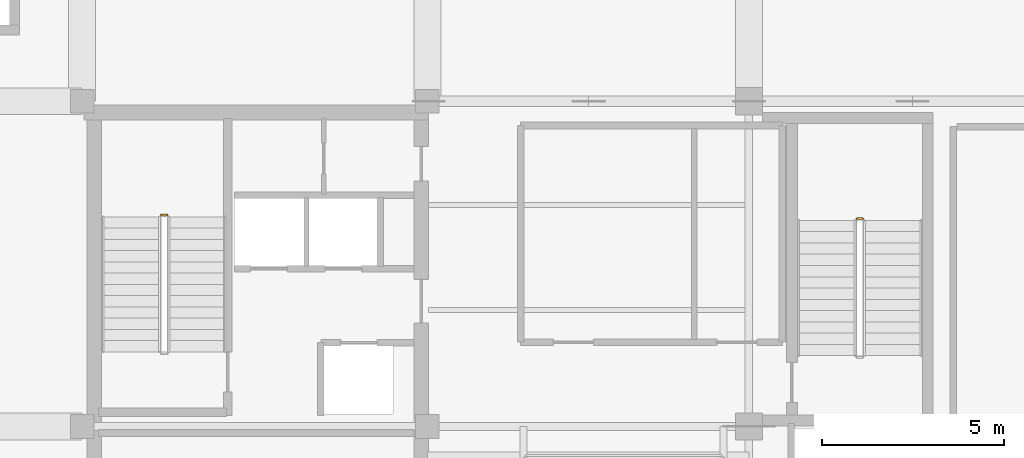
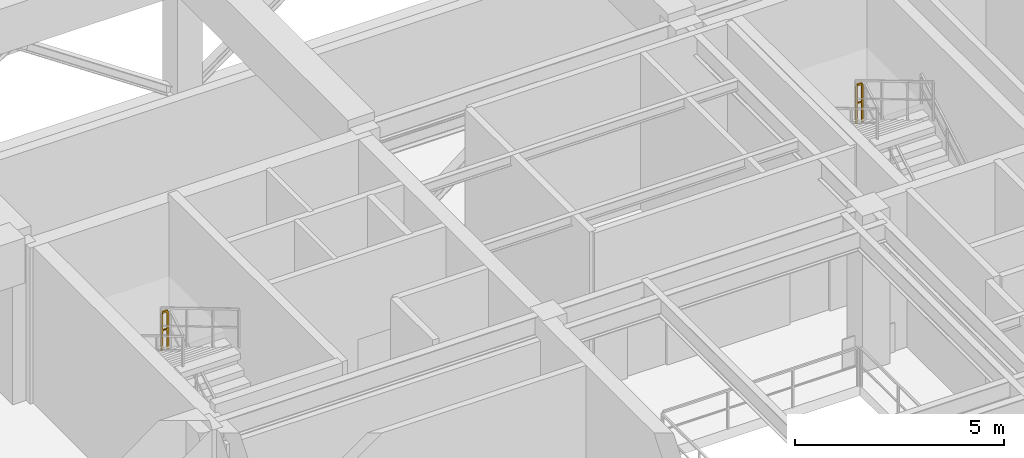
# One storey, part 10 of 10: 2 railings.
"""IFC4 building model written with IfcOpenShell, lengths in metres."""

from ifc_helpers import new_model, si_unit, direction, frame, origin, origin_2d, place, context, subcontext, project, spatial, rectangle, extrude, material, type_object, element, save


model = new_model("IFC4")

# Units and contexts
model_context = context("Model", 3, precision=1e-05, world=origin(), true_north=direction((0.0, 1.0)))
body_context = subcontext(model_context, "Body", "Model", "MODEL_VIEW")
ifc_project = project(units=[si_unit("LENGTHUNIT", "METRE"), si_unit("AREAUNIT", "SQUARE_METRE"), si_unit("VOLUMEUNIT", "CUBIC_METRE"), si_unit("PLANEANGLEUNIT", "RADIAN"), si_unit("MASSUNIT", "GRAM", prefix="KILO")], contexts=[model_context])

# Site, building, storey
site_placement = place(None, origin())
site = spatial("IfcSite", under=ifc_project, at=site_placement, CompositionType="ELEMENT")
building_placement = place(site_placement, origin())
building = spatial("IfcBuilding", under=site, at=building_placement, Name="Kundavana Baori Tower", CompositionType="ELEMENT")
storey_placement = place(building_placement, frame((0.0, 0.0, 307.699951171875)))
storey = spatial("IfcBuildingStorey", under=building, at=storey_placement, Name="L76", CompositionType="ELEMENT", Elevation=307.699951171875)

# Railings
ifc_material = material(Name="Architectural Patinated Bronze Metalwork")
railing_type = type_object("IfcRailingType", Name="RL-GRD-1150", PredefinedType="GUARDRAIL", material=ifc_material)
railing_1_placement = place(storey_placement, frame((17.7900390625, 38.820068359375, 2.400146484375)))
element("IfcRailing", 1, at=railing_1_placement, inside=storey, type_object=railing_type, Name="L76 ST2 stair guard 2", PredefinedType="GUARDRAIL", context=body_context, shape_type="SweptSolid", body=[
    extrude(rectangle(XDim=0.048095703125, YDim=0.048095703125, at=origin_2d()), frame((0.0, 0.0, 1.1259765625), z_axis=(-1.0, 0.0, 0.0), x_axis=(0.0, -1.0, 0.0)), (0.0, 0.0, 1.0), 0.16015625),
    extrude(rectangle(XDim=0.03125, YDim=0.03125, at=origin_2d()), frame((0.0, 0.0, 0.597900390625), z_axis=(-1.0, 0.0, 0.0), x_axis=(0.0, -1.0, 0.0)), (0.0, 0.0, 1.0), 0.16015625),
    extrude(rectangle(XDim=0.0419921875, YDim=0.0419921875, at=origin_2d()), origin(), (0.0, 0.0, 1.0), 1.101806640625),
    extrude(rectangle(XDim=0.0419921875, YDim=0.0419921875, at=origin_2d()), frame((-0.16015625, 0.0, 0.0)), (0.0, 0.0, 1.0), 1.101806640625),
])
railing_2_placement = place(storey_placement, frame((36.929931640625, 38.719970703125, 2.400146484375)))
element("IfcRailing", 2, at=railing_2_placement, inside=storey, type_object=railing_type, Name="L76 ST3 stair guard 2", PredefinedType="GUARDRAIL", context=body_context, shape_type="SweptSolid", body=[
    extrude(rectangle(XDim=0.048095703125, YDim=0.048095703125, at=origin_2d()), frame((0.0, 0.0, 1.1259765625), z_axis=(-1.0, 0.0, 0.0), x_axis=(0.0, -1.0, 0.0)), (0.0, 0.0, 1.0), 0.159912109375),
    extrude(rectangle(XDim=0.03125, YDim=0.03125, at=origin_2d()), frame((0.0, 0.0, 0.597900390625), z_axis=(-1.0, 0.0, 0.0), x_axis=(0.0, -1.0, 0.0)), (0.0, 0.0, 1.0), 0.159912109375),
    extrude(rectangle(XDim=0.0419921875, YDim=0.0419921875, at=origin_2d()), origin(), (0.0, 0.0, 1.0), 1.101806640625),
    extrude(rectangle(XDim=0.0419921875, YDim=0.0419921875, at=origin_2d()), frame((-0.159912109375, 0.0, 0.0)), (0.0, 0.0, 1.0), 1.101806640625),
])

save(model, "model.ifc")
